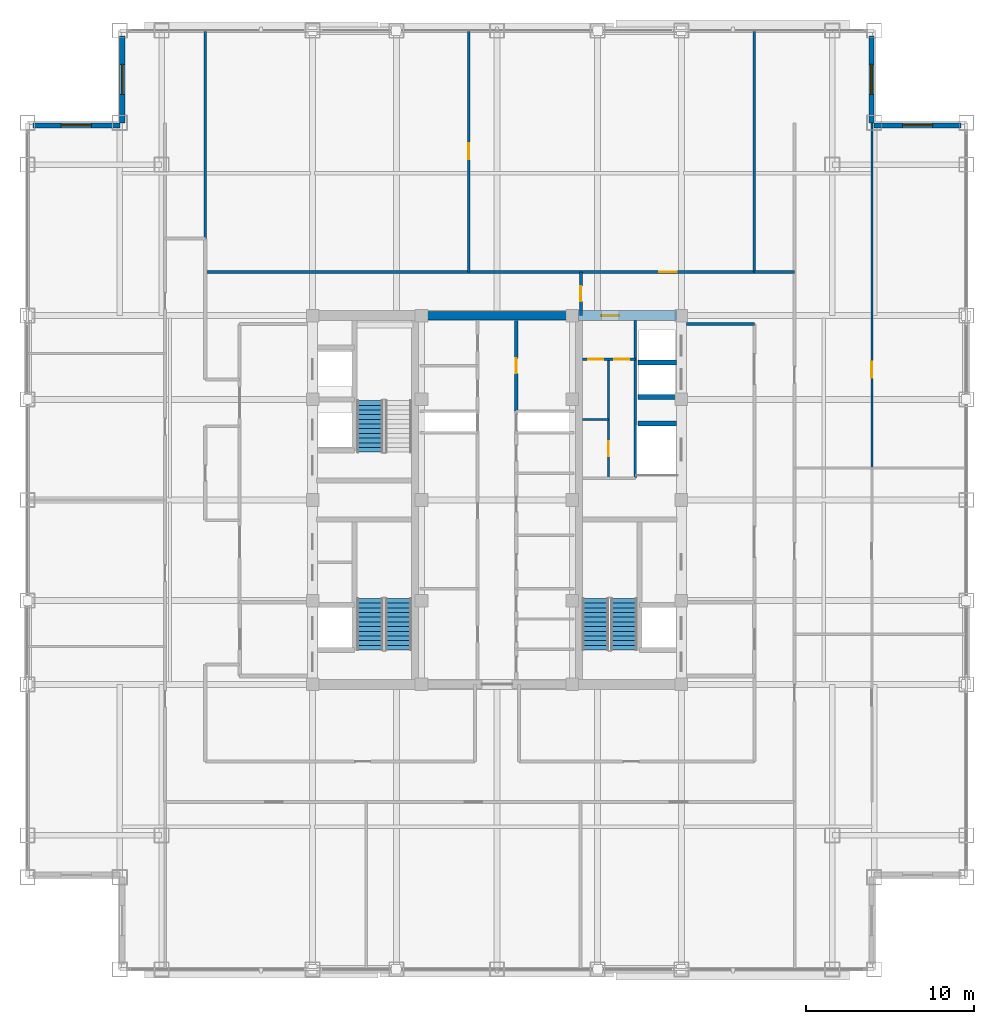
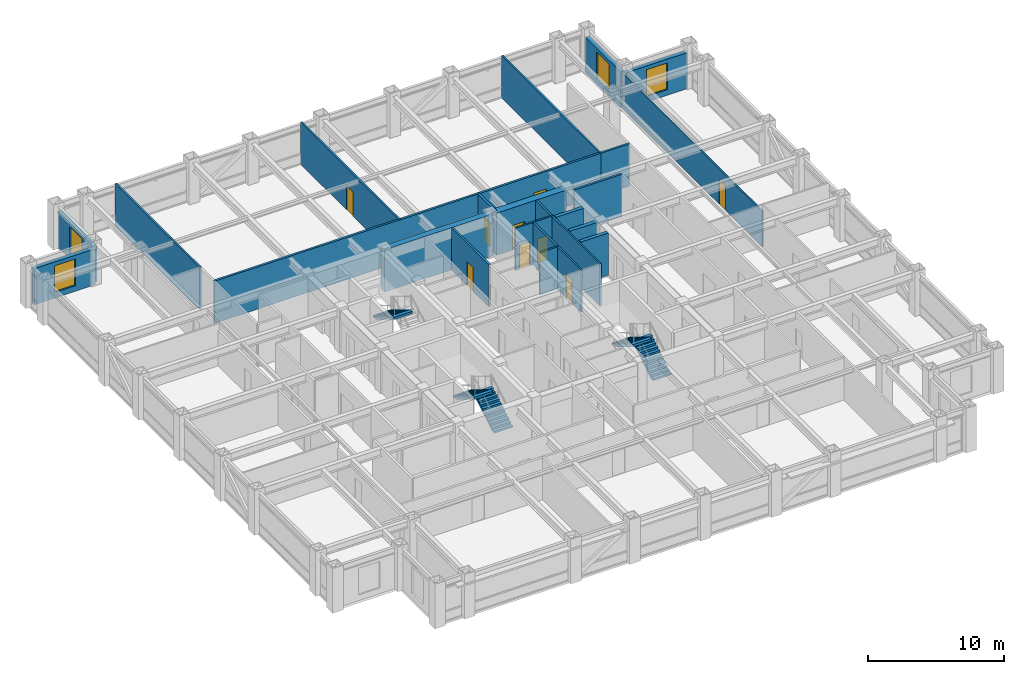
# One storey, part 21 of 27: 22 walls, 9 doors, 5 stair flights, 4 windows, 13 openings, 3 elements without a shape of their own.
"""IFC4 building model written with IfcOpenShell, lengths in metres."""

from ifc_helpers import new_model, si_unit, direction, frame, frame_2d, origin, place, context, subcontext, project, spatial, polyline, rectangle, outline, extrude, source, transform, mapped, material, layer, layer_set, type_object, element, fill, aggregate, save


model = new_model("IFC4")

# Units and contexts
model_context = context("Model", 3, precision=1e-05, world=origin(), true_north=direction((0.0, 1.0)))
body_context = subcontext(model_context, "Body", "Model", "MODEL_VIEW")
ifc_project = project(units=[si_unit("LENGTHUNIT", "METRE"), si_unit("AREAUNIT", "SQUARE_METRE"), si_unit("VOLUMEUNIT", "CUBIC_METRE"), si_unit("PLANEANGLEUNIT", "RADIAN"), si_unit("MASSUNIT", "GRAM", prefix="KILO")], contexts=[model_context])

# Site, building, storey
site_placement = place(None, origin())
site = spatial("IfcSite", under=ifc_project, at=site_placement, CompositionType="ELEMENT")
building_placement = place(site_placement, origin())
building = spatial("IfcBuilding", under=site, at=building_placement, Name="Khorayat Bourse Tower", CompositionType="ELEMENT")
storey_placement = place(building_placement, frame((0.0, 0.0, 317.5)))
storey = spatial("IfcBuildingStorey", under=building, at=storey_placement, Name="L75", CompositionType="ELEMENT", Elevation=317.5)

# Wall, opening, door
ifc_material_1 = material(Name="Concrete C60/75", Category="concrete")
ifc_layer_1 = layer(ifc_material_1, 0.60009765625)
ifc_layer_set_1 = layer_set([ifc_layer_1], Name="Concrete C60/75")
wall_type_1 = type_object("IfcWallType", Name="WAL-CORE-600", PredefinedType="SHEAR", material=ifc_layer_set_1)
shared_shape_1 = source(origin(), body_context, "Body", "SweptSolid", [
    extrude(rectangle(XDim=5.89990234375, YDim=0.60009765625, at=frame_2d((2.949951171875, 0.0))), origin(), (0.0, 0.0, 1.0), 3.780029296875),
])
wall_1_placement = place(storey_placement, frame((4.85009765625, 11.0, 0.0), z_axis=(0.0, 0.0, 1.0), x_axis=(1.0, 0.0, 0.0)))
wall_1 = element("IfcWall", 1, at=wall_1_placement, inside=storey, type_object=wall_type_1, Name="L75 Core Shear Wall PIER-EN", PredefinedType="SHEAR", context=body_context, shape_type="MappedRepresentation", body=[
    mapped(shared_shape_1, transform((0.0, 0.0, 0.0), scale=1.0)),
])
shared_shape_2 = source(origin(), body_context, "Body", "SweptSolid", [
    extrude(rectangle(XDim=1.050048828125, YDim=2.199951171875, at=frame_2d((0.52490234375, 1.10009765625))), frame((0.0, 0.31005859375, 0.0), z_axis=(0.0, -1.0, 0.0), x_axis=(1.0, 0.0, 0.0)), (0.0, 0.0, 1.0), 0.6201171875),
])
opening_1_placement = place(wall_1_placement, frame((1.375, 0.0, 0.0)))
opening_1 = element("IfcOpeningElement", 2, at=opening_1_placement, cuts=wall_1, Name="Opening DI-04", PredefinedType="OPENING", context=body_context, shape_type="MappedRepresentation", body=[
    mapped(shared_shape_2, transform((0.0, 0.0, 0.0), scale=1.0)),
])
ifc_material_2 = material(Name="Fire-rated oak veneer suite entrance door")
door_type_1 = type_object("IfcDoorType", Name="DR-INT-SUITE-1050", OperationType="NOTDEFINED", PredefinedType="DOOR", material=ifc_material_2)
shared_shape_3 = source(origin(), body_context, "Body", "SweptSolid", [
    extrude(rectangle(XDim=1.050048828125, YDim=2.199951171875, at=frame_2d((0.52490234375, 1.10009765625))), frame((0.0, 0.02490234375, 0.0), z_axis=(0.0, -1.0, 0.0), x_axis=(1.0, 0.0, 0.0)), (0.0, 0.0, 1.0), 0.050048828125),
])
door_1_placement = place(opening_1_placement, origin())
door_1 = element("IfcDoor", 3, at=door_1_placement, inside=storey, type_object=door_type_1, Name="L75 Core Washroom Lobby Door", OperationType="SINGLE_SWING_LEFT", OverallHeight=2.199951171875, OverallWidth=1.050048828125, PredefinedType="DOOR", context=body_context, shape_type="MappedRepresentation", body=[
    mapped(shared_shape_3, transform((0.0, 0.0, 0.0), scale=1.0)),
])
fill(opening_1, door_1)

# Wall
ifc_material_3 = material(Name="Concrete C52/65", Category="concrete")
ifc_layer_2 = layer(ifc_material_3, 0.5)
ifc_layer_set_2 = layer_set([ifc_layer_2], Name="Concrete C52/65")
wall_type_2 = type_object("IfcWallType", Name="WAL-CORE-500", PredefinedType="SHEAR", material=ifc_layer_set_2)
shared_shape_4 = source(origin(), body_context, "Body", "SweptSolid", [
    extrude(rectangle(XDim=9.2001953125, YDim=0.5, at=frame_2d((4.60009765625, 0.0))), origin(), (0.0, 0.0, 1.0), 3.780029296875),
])
wall_2_placement = place(storey_placement, frame((-4.60009765625, 11.0, 0.0), z_axis=(0.0, 0.0, 1.0), x_axis=(1.0, 0.0, 0.0)))
element("IfcWall", 4, at=wall_2_placement, inside=storey, type_object=wall_type_2, Name="L75 Core Shear Wall CORE-N", PredefinedType="SHEAR", context=body_context, shape_type="MappedRepresentation", body=[
    mapped(shared_shape_4, transform((0.0, 0.0, 0.0), scale=1.0)),
])

# Wall, opening, window
ifc_material_4 = material(Name="Precast concrete C45/55", Category="concrete")
ifc_layer_3 = layer(ifc_material_4, 0.320068359375)
ifc_layer_set_3 = layer_set([ifc_layer_3], Name="Precast concrete C45/55")
wall_type_3 = type_object("IfcWallType", Name="WAL-EXT-STONE-320", PredefinedType="STANDARD", material=ifc_layer_set_3)
shared_shape_5 = source(origin(), body_context, "Body", "SweptSolid", [
    extrude(rectangle(XDim=5.179931640625, YDim=0.320068359375, at=frame_2d((2.58984375, 0.0))), origin(), (0.0, 0.0, 1.0), 3.23095703125),
])
wall_3_placement = place(storey_placement, frame((22.5, 22.340087890625, 0.0), z_axis=(0.0, 0.0, 1.0), x_axis=(1.0, 0.0, 0.0)))
wall_3 = element("IfcWall", 5, at=wall_3_placement, inside=storey, type_object=wall_type_3, Name="L75 Re-Entrant Notch Limestone Wall NE-H", PredefinedType="STANDARD", context=body_context, shape_type="MappedRepresentation", body=[
    mapped(shared_shape_5, transform((0.0, 0.0, 0.0), scale=1.0)),
])
shared_shape_6 = source(origin(), body_context, "Body", "SweptSolid", [
    extrude(rectangle(XDim=1.800048828125, YDim=2.39990234375, at=frame_2d((0.89990234375, 1.199951171875))), frame((0.0, 0.169921875, 0.0), z_axis=(0.0, -1.0, 0.0), x_axis=(1.0, 0.0, 0.0)), (0.0, 0.0, 1.0), 0.340087890625),
])
opening_2_placement = place(wall_3_placement, frame((1.68994140625, 0.0, 0.5)))
opening_2 = element("IfcOpeningElement", 6, at=opening_2_placement, cuts=wall_3, Name="Opening WN-04", PredefinedType="OPENING", context=body_context, shape_type="MappedRepresentation", body=[
    mapped(shared_shape_6, transform((0.0, 0.0, 0.0), scale=1.0)),
])
ifc_material_5 = material(Name="Low-E acoustic laminated double glazing", Category="glass")
window_type = type_object("IfcWindowType", Name="WIN-NOTCH-1800x2400", PartitioningType="SINGLE_PANEL", PredefinedType="WINDOW", material=ifc_material_5)
shared_shape_7 = source(origin(), body_context, "Body", "SweptSolid", [
    extrude(rectangle(XDim=1.800048828125, YDim=2.39990234375, at=frame_2d((0.89990234375, 1.199951171875))), frame((0.0, 0.030029296875, 0.0), z_axis=(0.0, -1.0, 0.0), x_axis=(1.0, 0.0, 0.0)), (0.0, 0.0, 1.0), 0.06005859375),
])
window_1_placement = place(opening_2_placement, origin())
window_1 = element("IfcWindow", 7, at=window_1_placement, inside=storey, type_object=window_type, Name="L75 Facade Window 1", OverallHeight=2.39990234375, OverallWidth=1.800048828125, PartitioningType="SINGLE_PANEL", PredefinedType="WINDOW", context=body_context, shape_type="MappedRepresentation", body=[
    mapped(shared_shape_7, transform((0.0, 0.0, 0.0), scale=1.0)),
])
fill(opening_2, window_1)

wall_4_placement = place(storey_placement, frame((22.340087890625, 22.5, 0.0), z_axis=(0.0, 0.0, 1.0), x_axis=(0.0, 1.0, 0.0)))
wall_4 = element("IfcWall", 8, at=wall_4_placement, inside=storey, type_object=wall_type_3, Name="L75 Re-Entrant Notch Limestone Wall NE-V", PredefinedType="STANDARD", context=body_context, shape_type="MappedRepresentation", body=[
    mapped(shared_shape_5, transform((0.0, 0.0, 0.0), scale=1.0)),
])
opening_3_placement = place(wall_4_placement, frame((1.68994140625, 0.0, 0.5)))
opening_3 = element("IfcOpeningElement", 9, at=opening_3_placement, cuts=wall_4, Name="Opening WN-04", PredefinedType="OPENING", context=body_context, shape_type="MappedRepresentation", body=[
    mapped(shared_shape_6, transform((0.0, 0.0, 0.0), scale=1.0)),
])
window_2_placement = place(opening_3_placement, origin())
window_2 = element("IfcWindow", 10, at=window_2_placement, inside=storey, type_object=window_type, Name="L75 Facade Window 1", OverallHeight=2.39990234375, OverallWidth=1.800048828125, PartitioningType="SINGLE_PANEL", PredefinedType="WINDOW", context=body_context, shape_type="MappedRepresentation", body=[
    mapped(shared_shape_7, transform((0.0, 0.0, 0.0), scale=1.0)),
])
fill(opening_3, window_2)

wall_5_placement = place(storey_placement, frame((-22.340087890625, 22.5, 0.0), z_axis=(0.0, 0.0, 1.0), x_axis=(0.0, 1.0, 0.0)))
wall_5 = element("IfcWall", 11, at=wall_5_placement, inside=storey, type_object=wall_type_3, Name="L75 Re-Entrant Notch Limestone Wall NW-V", PredefinedType="STANDARD", context=body_context, shape_type="MappedRepresentation", body=[
    mapped(shared_shape_5, transform((0.0, 0.0, 0.0), scale=1.0)),
])
opening_4_placement = place(wall_5_placement, frame((1.68994140625, 0.0, 0.5)))
opening_4 = element("IfcOpeningElement", 12, at=opening_4_placement, cuts=wall_5, Name="Opening WN-04", PredefinedType="OPENING", context=body_context, shape_type="MappedRepresentation", body=[
    mapped(shared_shape_6, transform((0.0, 0.0, 0.0), scale=1.0)),
])
window_3_placement = place(opening_4_placement, origin())
window_3 = element("IfcWindow", 13, at=window_3_placement, inside=storey, type_object=window_type, Name="L75 Facade Window 1", OverallHeight=2.39990234375, OverallWidth=1.800048828125, PartitioningType="SINGLE_PANEL", PredefinedType="WINDOW", context=body_context, shape_type="MappedRepresentation", body=[
    mapped(shared_shape_7, transform((0.0, 0.0, 0.0), scale=1.0)),
])
fill(opening_4, window_3)

wall_6_placement = place(storey_placement, frame((-22.5, 22.340087890625, 0.0), z_axis=(0.0, 0.0, 1.0), x_axis=(-1.0, 0.0, 0.0)))
wall_6 = element("IfcWall", 14, at=wall_6_placement, inside=storey, type_object=wall_type_3, Name="L75 Re-Entrant Notch Limestone Wall NW-H", PredefinedType="STANDARD", context=body_context, shape_type="MappedRepresentation", body=[
    mapped(shared_shape_5, transform((0.0, 0.0, 0.0), scale=1.0)),
])
opening_5_placement = place(wall_6_placement, frame((1.68994140625, 0.0, 0.5)))
opening_5 = element("IfcOpeningElement", 15, at=opening_5_placement, cuts=wall_6, Name="Opening WN-04", PredefinedType="OPENING", context=body_context, shape_type="MappedRepresentation", body=[
    mapped(shared_shape_6, transform((0.0, 0.0, 0.0), scale=1.0)),
])
window_4_placement = place(opening_5_placement, origin())
window_4 = element("IfcWindow", 16, at=window_4_placement, inside=storey, type_object=window_type, Name="L75 Facade Window 1", OverallHeight=2.39990234375, OverallWidth=1.800048828125, PartitioningType="SINGLE_PANEL", PredefinedType="WINDOW", context=body_context, shape_type="MappedRepresentation", body=[
    mapped(shared_shape_7, transform((0.0, 0.0, 0.0), scale=1.0)),
])
fill(opening_5, window_4)

# Walls
ifc_material_6 = material(Name="Concrete C50/60", Category="concrete")
ifc_layer_4 = layer(ifc_material_6, 0.300048828125)
ifc_layer_set_4 = layer_set([ifc_layer_4], Name="Concrete C50/60")
wall_type_4 = type_object("IfcWallType", Name="WAL-SHAFT-300", PredefinedType="SHEAR", material=ifc_layer_set_4)
shared_shape_8 = source(origin(), body_context, "Body", "SweptSolid", [
    extrude(rectangle(XDim=2.300048828125, YDim=0.300048828125, at=frame_2d((1.14990234375, 0.0))), origin(), (0.0, 0.0, 1.0), 3.780029296875),
])
for number, where, z_axis, x_axis, name in (
    (17, (8.39990234375, 4.550048828125, 0.0), (0.0, 0.0, 1.0), (1.0, 0.0, 0.0), "L75 Partition WAL-L75-EPIER-SVLN"),
    (18, (8.39990234375, 6.14990234375, 0.0), (0.0, 0.0, 1.0), (1.0, 0.0, 0.0), "L75 Partition WAL-L75-EPIER-H3S"),
    (19, (8.39990234375, 8.199951171875, 0.0), (0.0, 0.0, 1.0), (1.0, 0.0, 0.0), "L75 Partition WAL-L75-EPIER-H34"),
):
    element("IfcWall", number, at=place(storey_placement, frame(where, z_axis=z_axis, x_axis=x_axis)), inside=storey, type_object=wall_type_4, Name=name, PredefinedType="SHEAR", context=body_context, shape_type="MappedRepresentation", body=[
        mapped(shared_shape_8, transform((0.0, 0.0, 0.0), scale=1.0)),
    ])
ifc_material_7 = material(Name="Moisture-resistant masonry partition", Category="masonry")
ifc_layer_5 = layer(ifc_material_7, 0.139892578125)
ifc_layer_set_5 = layer_set([ifc_layer_5], Name="Moisture-resistant masonry partition")
wall_type_5 = type_object("IfcWallType", Name="WAL-PART-WET-140", PredefinedType="PARTITIONING", material=ifc_layer_set_5)
shared_shape_9 = source(origin(), body_context, "Body", "SweptSolid", [
    extrude(rectangle(XDim=9.39990234375, YDim=0.139892578125, at=frame_2d((4.699951171875, 0.0))), origin(), (0.0, 0.0, 1.0), 3.780029296875),
])
wall_7_placement = place(storey_placement, frame((8.25, 1.300048828125, 0.0), z_axis=(0.0, 0.0, 1.0), x_axis=(0.0, 1.0, 0.0)))
element("IfcWall", 20, at=wall_7_placement, inside=storey, type_object=wall_type_5, Name="L75 Partition WAL-L75-ECORE-E", PredefinedType="PARTITIONING", context=body_context, shape_type="MappedRepresentation", body=[
    mapped(shared_shape_9, transform((0.0, 0.0, 0.0), scale=1.0)),
])

# Wall, openings, doors
shared_shape_10 = source(origin(), body_context, "Body", "SweptSolid", [
    extrude(rectangle(XDim=3.14990234375, YDim=0.139892578125, at=frame_2d((1.574951171875, 0.0))), origin(), (0.0, 0.0, 1.0), 3.780029296875),
])
wall_8_placement = place(storey_placement, frame((5.10009765625, 8.39990234375, 0.0), z_axis=(0.0, 0.0, 1.0), x_axis=(1.0, 0.0, 0.0)))
wall_8 = element("IfcWall", 21, at=wall_8_placement, inside=storey, type_object=wall_type_5, Name="L75 Partition WAL-L75-ECW-TOP", PredefinedType="PARTITIONING", context=body_context, shape_type="MappedRepresentation", body=[
    mapped(shared_shape_10, transform((0.0, 0.0, 0.0), scale=1.0)),
])
shared_shape_11 = source(origin(), body_context, "Body", "SweptSolid", [
    extrude(rectangle(XDim=0.89990234375, YDim=2.14990234375, at=frame_2d((0.449951171875, 1.074951171875))), frame((0.0, 0.079833984375, 0.0), z_axis=(0.0, -1.0, 0.0), x_axis=(1.0, 0.0, 0.0)), (0.0, 0.0, 1.0), 0.159912109375),
])
opening_6_placement = place(wall_8_placement, frame((0.330078125, 0.0, 0.0)))
opening_6 = element("IfcOpeningElement", 22, at=opening_6_placement, cuts=wall_8, Name="Opening DI-06", PredefinedType="OPENING", context=body_context, shape_type="MappedRepresentation", body=[
    mapped(shared_shape_11, transform((0.0, 0.0, 0.0), scale=1.0)),
])
opening_7_placement = place(wall_8_placement, frame((1.89990234375, 0.0, 0.0)))
opening_7 = element("IfcOpeningElement", 23, at=opening_7_placement, cuts=wall_8, Name="Opening DI-06", PredefinedType="OPENING", context=body_context, shape_type="MappedRepresentation", body=[
    mapped(shared_shape_11, transform((0.0, 0.0, 0.0), scale=1.0)),
])
ifc_material_8 = material(Name="Moisture-resistant laminate washroom door")
door_type_2 = type_object("IfcDoorType", Name="DR-INT-WC-900", OperationType="NOTDEFINED", PredefinedType="DOOR", material=ifc_material_8)
shared_shape_12 = source(origin(), body_context, "Body", "SweptSolid", [
    extrude(rectangle(XDim=0.89990234375, YDim=2.14990234375, at=frame_2d((0.449951171875, 1.074951171875))), frame((0.0, 0.02490234375, 0.0), z_axis=(0.0, -1.0, 0.0), x_axis=(1.0, 0.0, 0.0)), (0.0, 0.0, 1.0), 0.050048828125),
])
door_2_placement = place(opening_6_placement, origin())
door_2 = element("IfcDoor", 24, at=door_2_placement, inside=storey, type_object=door_type_2, Name="L75 Accessible WC Door", OperationType="SINGLE_SWING_LEFT", OverallHeight=2.14990234375, OverallWidth=0.89990234375, PredefinedType="DOOR", context=body_context, shape_type="MappedRepresentation", body=[
    mapped(shared_shape_12, transform((0.0, 0.0, 0.0), scale=1.0)),
])
fill(opening_6, door_2)
door_3_placement = place(opening_7_placement, origin())
door_3 = element("IfcDoor", 25, at=door_3_placement, inside=storey, type_object=door_type_2, Name="L75 Shared Washroom Door", OperationType="SINGLE_SWING_RIGHT", OverallHeight=2.14990234375, OverallWidth=0.89990234375, PredefinedType="DOOR", context=body_context, shape_type="MappedRepresentation", body=[
    mapped(shared_shape_12, transform((0.0, 0.0, 0.0), scale=1.0)),
])
fill(opening_7, door_3)

# Wall, opening, door
shared_shape_13 = source(origin(), body_context, "Body", "SweptSolid", [
    extrude(rectangle(XDim=7.099853515625, YDim=0.139892578125, at=frame_2d((3.5498046875, 0.0))), origin(), (0.0, 0.0, 1.0), 3.780029296875),
])
wall_9_placement = place(storey_placement, frame((6.64990234375, 1.300048828125, 0.0), z_axis=(0.0, 0.0, 1.0), x_axis=(0.0, 1.0, 0.0)))
wall_9 = element("IfcWall", 26, at=wall_9_placement, inside=storey, type_object=wall_type_5, Name="L75 Partition WAL-L75-ECW-MID", PredefinedType="PARTITIONING", context=body_context, shape_type="MappedRepresentation", body=[
    mapped(shared_shape_13, transform((0.0, 0.0, 0.0), scale=1.0)),
])
opening_8_placement = place(wall_9_placement, frame((1.300048828125, 0.0, 0.0)))
opening_8 = element("IfcOpeningElement", 27, at=opening_8_placement, cuts=wall_9, Name="Opening DI-06", PredefinedType="OPENING", context=body_context, shape_type="MappedRepresentation", body=[
    mapped(shared_shape_11, transform((0.0, 0.0, 0.0), scale=1.0)),
])
door_4_placement = place(opening_8_placement, origin())
door_4 = element("IfcDoor", 28, at=door_4_placement, inside=storey, type_object=door_type_2, Name="L75 Janitor Store Door", OperationType="SINGLE_SWING_LEFT", OverallHeight=2.14990234375, OverallWidth=0.89990234375, PredefinedType="DOOR", context=body_context, shape_type="MappedRepresentation", body=[
    mapped(shared_shape_12, transform((0.0, 0.0, 0.0), scale=1.0)),
])
fill(opening_8, door_4)

# Walls
shared_shape_14 = source(origin(), body_context, "Body", "SweptSolid", [
    extrude(rectangle(XDim=1.5498046875, YDim=0.139892578125, at=frame_2d((0.77490234375, 0.0))), origin(), (0.0, 0.0, 1.0), 3.780029296875),
])
wall_10_placement = place(storey_placement, frame((5.10009765625, 4.800048828125, 0.0), z_axis=(0.0, 0.0, 1.0), x_axis=(1.0, 0.0, 0.0)))
element("IfcWall", 29, at=wall_10_placement, inside=storey, type_object=wall_type_5, Name="L75 Partition WAL-L75-ECW-BOT", PredefinedType="PARTITIONING", context=body_context, shape_type="MappedRepresentation", body=[
    mapped(shared_shape_14, transform((0.0, 0.0, 0.0), scale=1.0)),
])
ifc_material_9 = material(Name="Gypsum plasterboard acoustic stud wall")
ifc_layer_6 = layer(ifc_material_9, 0.179931640625)
ifc_layer_set_6 = layer_set([ifc_layer_6], Name="Gypsum plasterboard acoustic stud wall")
wall_type_6 = type_object("IfcWallType", Name="WAL-PART-CORR-180", PredefinedType="PARTITIONING", material=ifc_layer_set_6)
shared_shape_15 = source(origin(), body_context, "Body", "SweptSolid", [
    extrude(rectangle(XDim=4.050048828125, YDim=0.179931640625, at=frame_2d((2.02490234375, 0.0))), origin(), (0.0, 0.0, 1.0), 3.780029296875),
])
wall_11_placement = place(storey_placement, frame((11.300048828125, 10.5, 0.0), z_axis=(0.0, 0.0, 1.0), x_axis=(1.0, 0.0, 0.0)))
element("IfcWall", 30, at=wall_11_placement, inside=storey, type_object=wall_type_6, Name="L75 Partition WAL-L75-ELOB-N", PredefinedType="PARTITIONING", context=body_context, shape_type="MappedRepresentation", body=[
    mapped(shared_shape_15, transform((0.0, 0.0, 0.0), scale=1.0)),
])

# Wall, opening, door
shared_shape_16 = source(origin(), body_context, "Body", "SweptSolid", [
    extrude(rectangle(XDim=5.39990234375, YDim=0.179931640625, at=frame_2d((2.699951171875, 0.0))), origin(), (0.0, 0.0, 1.0), 3.780029296875),
])
wall_12_placement = place(storey_placement, frame((1.14990234375, 5.300048828125, 0.0), z_axis=(0.0, 0.0, 1.0), x_axis=(0.0, 1.0, 0.0)))
wall_12 = element("IfcWall", 31, at=wall_12_placement, inside=storey, type_object=wall_type_6, Name="L75 Partition WAL-L75-FB2E-L", PredefinedType="PARTITIONING", context=body_context, shape_type="MappedRepresentation", body=[
    mapped(shared_shape_16, transform((0.0, 0.0, 0.0), scale=1.0)),
])
shared_shape_17 = source(origin(), body_context, "Body", "SweptSolid", [
    extrude(rectangle(XDim=0.89990234375, YDim=2.14990234375, at=frame_2d((0.449951171875, 1.074951171875))), frame((0.0, 0.099853515625, 0.0), z_axis=(0.0, -1.0, 0.0), x_axis=(1.0, 0.0, 0.0)), (0.0, 0.0, 1.0), 0.199951171875),
])
opening_9_placement = place(wall_12_placement, frame((2.25, 0.0, 0.0)))
opening_9 = element("IfcOpeningElement", 32, at=opening_9_placement, cuts=wall_12, Name="Opening DI-06", PredefinedType="OPENING", context=body_context, shape_type="MappedRepresentation", body=[
    mapped(shared_shape_17, transform((0.0, 0.0, 0.0), scale=1.0)),
])
door_5_placement = place(opening_9_placement, origin())
door_5 = element("IfcDoor", 33, at=door_5_placement, inside=storey, type_object=door_type_2, Name="L75 High-Rise Archive Store Door", OperationType="SINGLE_SWING_RIGHT", OverallHeight=2.14990234375, OverallWidth=0.89990234375, PredefinedType="DOOR", context=body_context, shape_type="MappedRepresentation", body=[
    mapped(shared_shape_12, transform((0.0, 0.0, 0.0), scale=1.0)),
])
fill(opening_9, door_5)

shared_shape_18 = source(origin(), body_context, "Body", "SweptSolid", [
    extrude(rectangle(XDim=2.60009765625, YDim=0.179931640625, at=frame_2d((1.300048828125, 0.0))), origin(), (0.0, 0.0, 1.0), 3.780029296875),
])
wall_13_placement = place(storey_placement, frame((5.0, 11.0, 0.0), z_axis=(0.0, 0.0, 1.0), x_axis=(0.0, 1.0, 0.0)))
wall_13 = element("IfcWall", 34, at=wall_13_placement, inside=storey, type_object=wall_type_6, Name="L75 Partition WAL-L75-CORRNE-W", PredefinedType="PARTITIONING", context=body_context, shape_type="MappedRepresentation", body=[
    mapped(shared_shape_18, transform((0.0, 0.0, 0.0), scale=1.0)),
])
opening_10_placement = place(wall_13_placement, frame((0.85009765625, 0.0, 0.0)))
opening_10 = element("IfcOpeningElement", 35, at=opening_10_placement, cuts=wall_13, Name="Opening DI-06", PredefinedType="OPENING", context=body_context, shape_type="MappedRepresentation", body=[
    mapped(shared_shape_17, transform((0.0, 0.0, 0.0), scale=1.0)),
])
door_6_placement = place(opening_10_placement, origin())
door_6 = element("IfcDoor", 36, at=door_6_placement, inside=storey, type_object=door_type_2, Name="L75 North Core Pantry Door", OperationType="SINGLE_SWING_LEFT", OverallHeight=2.14990234375, OverallWidth=0.89990234375, PredefinedType="DOOR", context=body_context, shape_type="MappedRepresentation", body=[
    mapped(shared_shape_12, transform((0.0, 0.0, 0.0), scale=1.0)),
])
fill(opening_10, door_6)

# Wall
shared_shape_19 = source(origin(), body_context, "Body", "SweptSolid", [
    extrude(rectangle(XDim=2.39990234375, YDim=0.179931640625, at=frame_2d((1.199951171875, 0.0))), origin(), (0.0, 0.0, 1.0), 3.780029296875),
])
wall_14_placement = place(storey_placement, frame((15.35009765625, 13.60009765625, 0.0), z_axis=(0.0, 0.0, 1.0), x_axis=(1.0, 0.0, 0.0)))
element("IfcWall", 37, at=wall_14_placement, inside=storey, type_object=wall_type_6, Name="L75 Partition WAL-L75-GALE-N", PredefinedType="PARTITIONING", context=body_context, shape_type="MappedRepresentation", body=[
    mapped(shared_shape_19, transform((0.0, 0.0, 0.0), scale=1.0)),
])

# Wall, opening, door
shared_shape_20 = source(origin(), body_context, "Body", "SweptSolid", [
    extrude(rectangle(XDim=32.75, YDim=0.179931640625, at=frame_2d((16.375, 0.0))), origin(), (0.0, 0.0, 1.0), 3.780029296875),
])
wall_15_placement = place(storey_placement, frame((-17.39990234375, 13.60009765625, 0.0), z_axis=(0.0, 0.0, 1.0), x_axis=(1.0, 0.0, 0.0)))
wall_15 = element("IfcWall", 38, at=wall_15_placement, inside=storey, type_object=wall_type_6, Name="L75 Partition WAL-L75-NCORR", PredefinedType="PARTITIONING", context=body_context, shape_type="MappedRepresentation", body=[
    mapped(shared_shape_20, transform((0.0, 0.0, 0.0), scale=1.0)),
])
shared_shape_21 = source(origin(), body_context, "Body", "SweptSolid", [
    extrude(rectangle(XDim=1.050048828125, YDim=2.199951171875, at=frame_2d((0.52490234375, 1.10009765625))), frame((0.0, 0.099853515625, 0.0), z_axis=(0.0, -1.0, 0.0), x_axis=(1.0, 0.0, 0.0)), (0.0, 0.0, 1.0), 0.199951171875),
])
opening_11_placement = place(wall_15_placement, frame((27.074951171875, 0.0, 0.0)))
opening_11 = element("IfcOpeningElement", 39, at=opening_11_placement, cuts=wall_15, Name="Opening DI-04", PredefinedType="OPENING", context=body_context, shape_type="MappedRepresentation", body=[
    mapped(shared_shape_21, transform((0.0, 0.0, 0.0), scale=1.0)),
])
door_7_placement = place(opening_11_placement, origin())
door_7 = element("IfcDoor", 40, at=door_7_placement, inside=storey, type_object=door_type_1, Name="L75 Executive Boardroom N2 Door", OperationType="SINGLE_SWING_LEFT", OverallHeight=2.199951171875, OverallWidth=1.050048828125, PredefinedType="DOOR", context=body_context, shape_type="MappedRepresentation", body=[
    mapped(shared_shape_3, transform((0.0, 0.0, 0.0), scale=1.0)),
])
fill(opening_11, door_7)

# Wall
ifc_material_10 = material(Name="Gypsum plasterboard twin-frame partition")
ifc_layer_7 = layer(ifc_material_10, 0.14990234375)
ifc_layer_set_7 = layer_set([ifc_layer_7], Name="Gypsum plasterboard twin-frame partition")
wall_type_7 = type_object("IfcWallType", Name="WAL-PART-SUITE-150", PredefinedType="PARTITIONING", material=ifc_layer_set_7)
shared_shape_22 = source(origin(), body_context, "Body", "SweptSolid", [
    extrude(rectangle(XDim=12.39990234375, YDim=0.14990234375, at=frame_2d((6.199951171875, 0.0))), origin(), (0.0, 0.0, 1.0), 3.780029296875),
])
wall_16_placement = place(storey_placement, frame((-17.39990234375, 15.60009765625, 0.0), z_axis=(0.0, 0.0, 1.0), x_axis=(0.0, 1.0, 0.0)))
element("IfcWall", 41, at=wall_16_placement, inside=storey, type_object=wall_type_7, Name="L75 Partition WAL-L75-NCW-END", PredefinedType="PARTITIONING", context=body_context, shape_type="MappedRepresentation", body=[
    mapped(shared_shape_22, transform((0.0, 0.0, 0.0), scale=1.0)),
])

# Wall, opening, door
shared_shape_23 = source(origin(), body_context, "Body", "SweptSolid", [
    extrude(rectangle(XDim=14.39990234375, YDim=0.14990234375, at=frame_2d((7.199951171875, 0.0))), origin(), (0.0, 0.0, 1.0), 3.780029296875),
])
wall_17_placement = place(storey_placement, frame((-1.679931640625, 13.60009765625, 0.0), z_axis=(0.0, 0.0, 1.0), x_axis=(0.0, 1.0, 0.0)))
wall_17 = element("IfcWall", 42, at=wall_17_placement, inside=storey, type_object=wall_type_7, Name="L75 Partition WAL-L75-NDV-1", PredefinedType="PARTITIONING", context=body_context, shape_type="MappedRepresentation", body=[
    mapped(shared_shape_23, transform((0.0, 0.0, 0.0), scale=1.0)),
])
shared_shape_24 = source(origin(), body_context, "Body", "SweptSolid", [
    extrude(rectangle(XDim=0.949951171875, YDim=2.14990234375, at=frame_2d((0.47509765625, 1.074951171875))), frame((0.0, 0.0849609375, 0.0), z_axis=(0.0, -1.0, 0.0), x_axis=(1.0, 0.0, 0.0)), (0.0, 0.0, 1.0), 0.169921875),
])
opening_12_placement = place(wall_17_placement, frame((6.72509765625, 0.0, 0.0)))
opening_12 = element("IfcOpeningElement", 43, at=opening_12_placement, cuts=wall_17, Name="Opening DI-05", PredefinedType="OPENING", context=body_context, shape_type="MappedRepresentation", body=[
    mapped(shared_shape_24, transform((0.0, 0.0, 0.0), scale=1.0)),
])
ifc_material_11 = material(Name="Acoustic oak veneer office door")
door_type_3 = type_object("IfcDoorType", Name="DR-INT-OFFICE-950", OperationType="NOTDEFINED", PredefinedType="DOOR", material=ifc_material_11)
shared_shape_25 = source(origin(), body_context, "Body", "SweptSolid", [
    extrude(rectangle(XDim=0.949951171875, YDim=2.14990234375, at=frame_2d((0.47509765625, 1.074951171875))), frame((0.0, 0.02490234375, 0.0), z_axis=(0.0, -1.0, 0.0), x_axis=(1.0, 0.0, 0.0)), (0.0, 0.0, 1.0), 0.050048828125),
])
door_8_placement = place(opening_12_placement, origin())
door_8 = element("IfcDoor", 44, at=door_8_placement, inside=storey, type_object=door_type_3, Name="L75 N Suite Link 1", OperationType="SINGLE_SWING_RIGHT", OverallHeight=2.14990234375, OverallWidth=0.949951171875, PredefinedType="DOOR", context=body_context, shape_type="MappedRepresentation", body=[
    mapped(shared_shape_25, transform((0.0, 0.0, 0.0), scale=1.0)),
])
fill(opening_12, door_8)

# Wall
wall_18_placement = place(storey_placement, frame((15.35009765625, 13.60009765625, 0.0), z_axis=(0.0, 0.0, 1.0), x_axis=(0.0, 1.0, 0.0)))
element("IfcWall", 45, at=wall_18_placement, inside=storey, type_object=wall_type_7, Name="L75 Partition WAL-L75-NCE-END", PredefinedType="PARTITIONING", context=body_context, shape_type="MappedRepresentation", body=[
    mapped(shared_shape_23, transform((0.0, 0.0, 0.0), scale=1.0)),
])

# Wall, opening, door
ifc_material_12 = material(Name="Gypsum plasterboard partition")
ifc_layer_8 = layer(ifc_material_12, 0.125)
ifc_layer_set_8 = layer_set([ifc_layer_8], Name="Gypsum plasterboard partition")
wall_type_8 = type_object("IfcWallType", Name="WAL-PART-ROOM-125", PredefinedType="PARTITIONING", material=ifc_layer_set_8)
shared_shape_26 = source(origin(), body_context, "Body", "SweptSolid", [
    extrude(rectangle(XDim=20.580078125, YDim=0.125, at=frame_2d((10.2900390625, 0.0))), origin(), (0.0, 0.0, 1.0), 3.1640625),
])
wall_19_placement = place(storey_placement, frame((22.362548828125, 1.919921875, 0.0), z_axis=(0.0, 0.0, 1.0), x_axis=(0.0, 1.0, 0.0)))
wall_19 = element("IfcWall", 46, at=wall_19_placement, inside=storey, type_object=wall_type_8, Name="L75 Partition WAL-L75-EDP-3", PredefinedType="PARTITIONING", context=body_context, shape_type="MappedRepresentation", body=[
    mapped(shared_shape_26, transform((0.0, 0.0, 0.0), scale=1.0)),
])
shared_shape_27 = source(origin(), body_context, "Body", "SweptSolid", [
    extrude(rectangle(XDim=0.949951171875, YDim=2.14990234375, at=frame_2d((0.47509765625, 1.074951171875))), frame((0.0, 0.072509765625, 0.0), z_axis=(0.0, -1.0, 0.0), x_axis=(1.0, 0.0, 0.0)), (0.0, 0.0, 1.0), 0.14501953125),
])
opening_13_placement = place(wall_19_placement, frame((5.364990234375, 0.0, 0.0)))
opening_13 = element("IfcOpeningElement", 47, at=opening_13_placement, cuts=wall_19, Name="Opening DI-05", PredefinedType="OPENING", context=body_context, shape_type="MappedRepresentation", body=[
    mapped(shared_shape_27, transform((0.0, 0.0, 0.0), scale=1.0)),
])
door_9_placement = place(opening_13_placement, origin())
door_9 = element("IfcDoor", 48, at=door_9_placement, inside=storey, type_object=door_type_3, Name="L75 Equities Trading Desk E3B Door", OperationType="SINGLE_SWING_RIGHT", OverallHeight=2.14990234375, OverallWidth=0.949951171875, PredefinedType="DOOR", context=body_context, shape_type="MappedRepresentation", body=[
    mapped(shared_shape_25, transform((0.0, 0.0, 0.0), scale=1.0)),
])
fill(opening_13, door_9)

# Stair, stair flights
ifc_material_13 = material(Name="Concrete C40/50", Category="concrete")
stair_type = type_object("IfcStairType", Name="STR-CORE-1550", PredefinedType="HALF_TURN_STAIR", material=ifc_material_13)
stair_1_placement = place(storey_placement, origin())
stair_1 = element("IfcStair", 49, at=stair_1_placement, inside=storey, type_object=stair_type, Name="L75 Exit Stair ST-1", PredefinedType="HALF_TURN_STAIR")
stair_flight_type = type_object("IfcStairFlightType", Name="FLT-CORE-1550", PredefinedType="STRAIGHT", material=ifc_material_13)
shared_shape_28 = source(origin(), body_context, "Body", "SweptSolid", [
    extrude(outline(polyline([(0.0, 0.0), (0.0, 0.166748046875), (0.280029296875, 0.166748046875), (0.280029296875, 0.333251953125), (0.56005859375, 0.333251953125), (0.56005859375, 0.5), (0.840087890625, 0.5), (0.840087890625, 0.666748046875), (1.1201171875, 0.666748046875), (1.1201171875, 0.833251953125), (1.39990234375, 0.833251953125), (1.39990234375, 1.0), (1.679931640625, 1.0), (1.679931640625, 1.166748046875), (1.9599609375, 1.166748046875), (1.9599609375, 1.333251953125), (2.239990234375, 1.333251953125), (2.239990234375, 1.5), (2.52001953125, 1.5), (2.52001953125, 1.666748046875), (2.800048828125, 1.666748046875), (2.800048828125, 1.833251953125), (3.080078125, 1.833251953125), (3.080078125, 2.0), (3.080078125, 1.6240234375), (0.351806640625, 0.0), (0.0, 0.0)])), frame((0.0, 0.77490234375, 0.0), z_axis=(0.0, -1.0, 0.0), x_axis=(1.0, 0.0, 0.0)), (0.0, 0.0, 1.0), 1.550048828125),
])
stair_flight_1_placement = place(storey_placement, frame((-5.875, -8.949951171875, 0.0), z_axis=(0.0, 0.0, 1.0), x_axis=(0.0, 1.0, 0.0)))
stair_flight_1 = element("IfcStairFlight", 50, at=stair_flight_1_placement, type_object=stair_flight_type, Name="ST-1 flight 1", NumberOfRisers=12, NumberOfTreads=11, PredefinedType="STRAIGHT", RiserHeight=0.166666667, TreadLength=0.28, context=body_context, shape_type="MappedRepresentation", body=[
    mapped(shared_shape_28, transform((0.0, 0.0, 0.0), scale=1.0)),
])
stair_flight_2_placement = place(storey_placement, frame((-7.574951171875, -5.8701171875, 2.0), z_axis=(0.0, 0.0, 1.0), x_axis=(0.0, -1.0, 0.0)))
stair_flight_2 = element("IfcStairFlight", 51, at=stair_flight_2_placement, type_object=stair_flight_type, Name="ST-1 flight 2", NumberOfRisers=12, NumberOfTreads=11, PredefinedType="STRAIGHT", RiserHeight=0.166666667, TreadLength=0.28, context=body_context, shape_type="MappedRepresentation", body=[
    mapped(shared_shape_28, transform((0.0, 0.0, 0.0), scale=1.0)),
])
aggregate(stair_1, [stair_flight_1, stair_flight_2])

# Stair, stair flight
stair_2_placement = place(storey_placement, origin())
stair_2 = element("IfcStair", 52, at=stair_2_placement, inside=storey, type_object=stair_type, Name="L75 Exit Stair ST-2", PredefinedType="HALF_TURN_STAIR")
stair_flight_3_placement = place(storey_placement, frame((-7.574951171875, 5.929931640625, 2.0), z_axis=(0.0, 0.0, 1.0), x_axis=(0.0, -1.0, 0.0)))
stair_flight_3 = element("IfcStairFlight", 53, at=stair_flight_3_placement, type_object=stair_flight_type, Name="ST-2 flight 2", NumberOfRisers=12, NumberOfTreads=11, PredefinedType="STRAIGHT", RiserHeight=0.166666667, TreadLength=0.28, context=body_context, shape_type="MappedRepresentation", body=[
    mapped(shared_shape_28, transform((0.0, 0.0, 0.0), scale=1.0)),
])
aggregate(stair_2, [stair_flight_3])

# Stair, stair flights
stair_3_placement = place(storey_placement, origin())
stair_3 = element("IfcStair", 54, at=stair_3_placement, inside=storey, type_object=stair_type, Name="L75 Exit Stair ST-3", PredefinedType="HALF_TURN_STAIR")
stair_flight_4_placement = place(storey_placement, frame((7.574951171875, -8.949951171875, 0.0), z_axis=(0.0, 0.0, 1.0), x_axis=(0.0, 1.0, 0.0)))
stair_flight_4 = element("IfcStairFlight", 55, at=stair_flight_4_placement, type_object=stair_flight_type, Name="ST-3 flight 1", NumberOfRisers=12, NumberOfTreads=11, PredefinedType="STRAIGHT", RiserHeight=0.166666667, TreadLength=0.28, context=body_context, shape_type="MappedRepresentation", body=[
    mapped(shared_shape_28, transform((0.0, 0.0, 0.0), scale=1.0)),
])
stair_flight_5_placement = place(storey_placement, frame((5.875, -5.8701171875, 2.0), z_axis=(0.0, 0.0, 1.0), x_axis=(0.0, -1.0, 0.0)))
stair_flight_5 = element("IfcStairFlight", 56, at=stair_flight_5_placement, type_object=stair_flight_type, Name="ST-3 flight 2", NumberOfRisers=12, NumberOfTreads=11, PredefinedType="STRAIGHT", RiserHeight=0.166666667, TreadLength=0.28, context=body_context, shape_type="MappedRepresentation", body=[
    mapped(shared_shape_28, transform((0.0, 0.0, 0.0), scale=1.0)),
])
aggregate(stair_3, [stair_flight_4, stair_flight_5])

save(model, "model.ifc")
